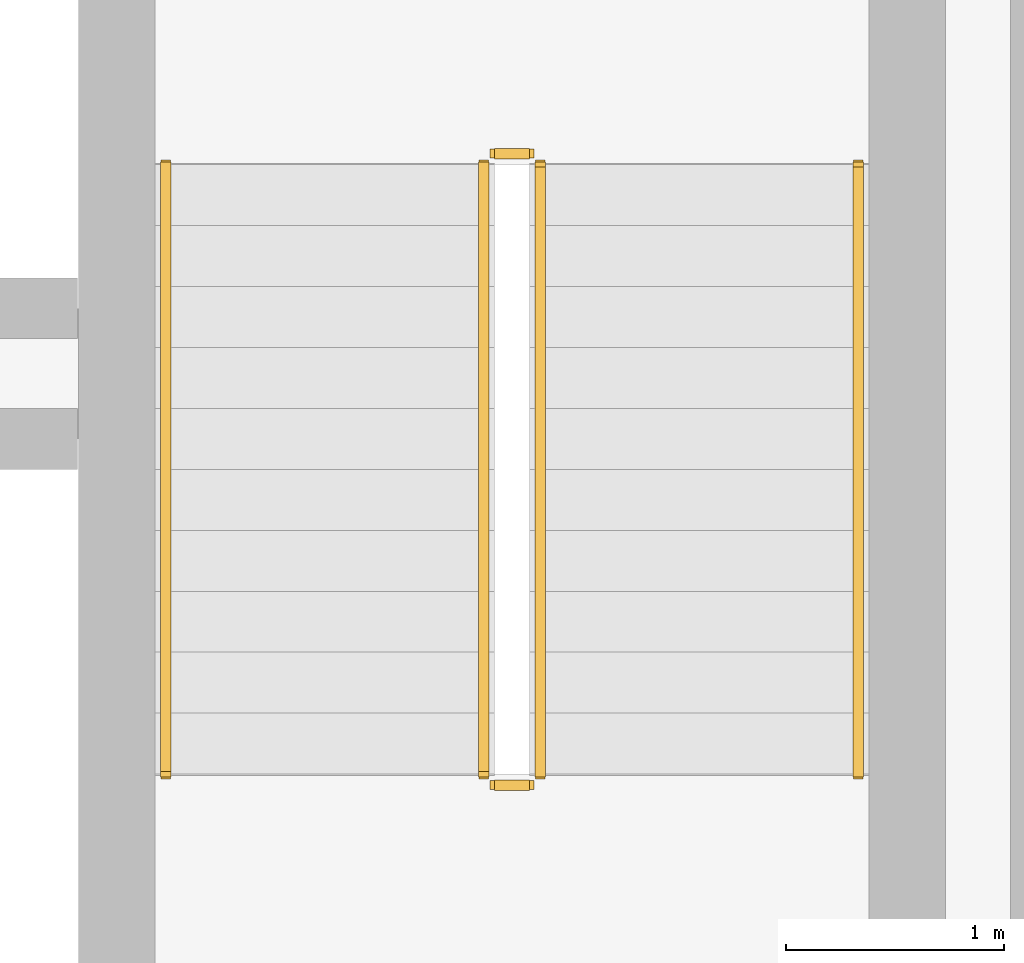
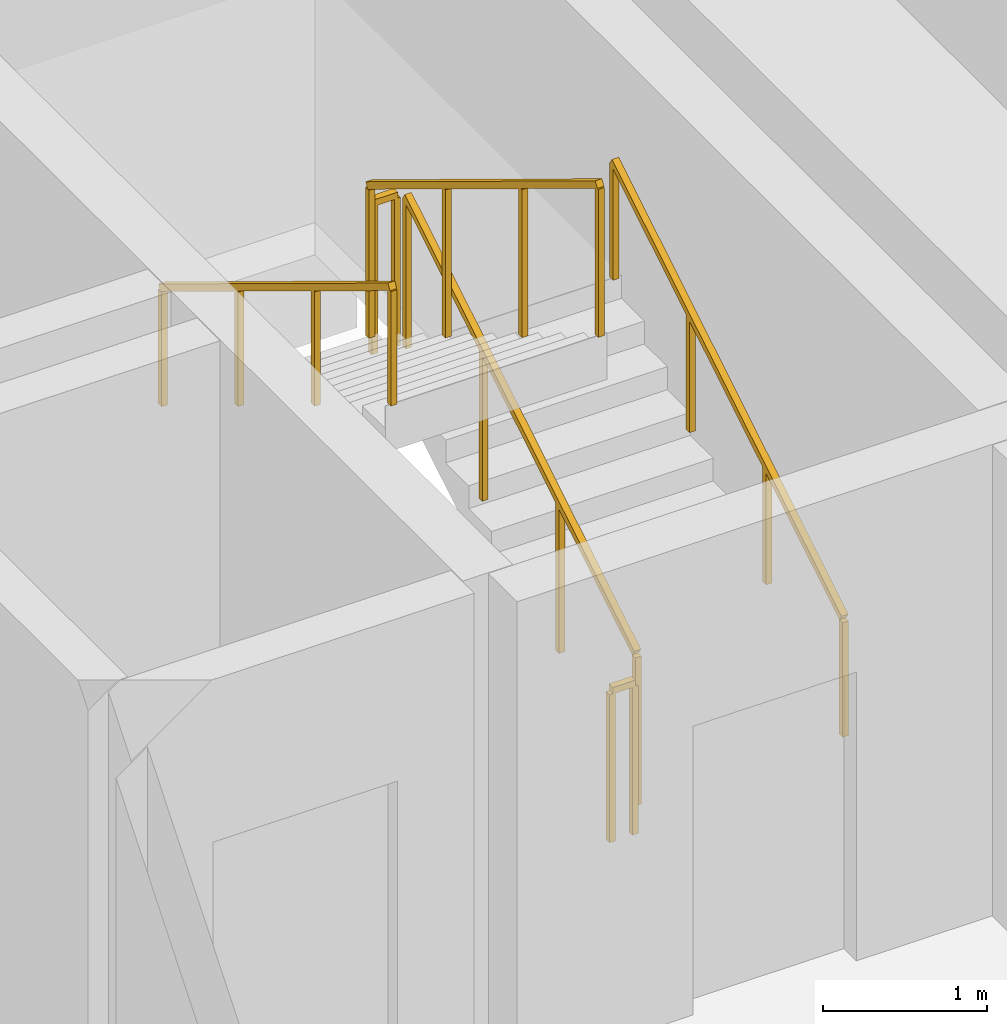
# One storey, part 15 of 15: 6 railings.
"""IFC4 building model written with IfcOpenShell, lengths in metres."""

from ifc_helpers import new_model, si_unit, direction, frame, origin, origin_2d, place, context, subcontext, project, spatial, rectangle, extrude, material, type_object, element, save


model = new_model("IFC4")

# Units and contexts
model_context = context("Model", 3, precision=1e-05, world=origin(), true_north=direction((0.0, 1.0)))
body_context = subcontext(model_context, "Body", "Model", "MODEL_VIEW")
ifc_project = project(units=[si_unit("LENGTHUNIT", "METRE"), si_unit("AREAUNIT", "SQUARE_METRE"), si_unit("VOLUMEUNIT", "CUBIC_METRE"), si_unit("PLANEANGLEUNIT", "RADIAN"), si_unit("MASSUNIT", "GRAM", prefix="KILO")], contexts=[model_context])

# Site, building, storey
site_placement = place(None, origin())
site = spatial("IfcSite", under=ifc_project, at=site_placement, CompositionType="ELEMENT")
building_placement = place(site_placement, origin())
building = spatial("IfcBuilding", under=site, at=building_placement, Name="Kaelvorn Grand Hotel", CompositionType="ELEMENT")
storey_placement = place(building_placement, frame((0.0, 0.0, 53.89990234375)))
storey = spatial("IfcBuildingStorey", under=building, at=storey_placement, Name="L11", CompositionType="ELEMENT", Elevation=53.89990234375)

# Railings
ifc_material = material(Name="Stainless Steel", Category="steel")
railing_type_1 = type_object("IfcRailingType", Name="RL-HANDRAIL-900", PredefinedType="HANDRAIL", material=ifc_material)
railing_1_placement = place(storey_placement, frame((66.550048828125, 41.760009765625, 0.170654296875)))
element("IfcRailing", 1, at=railing_1_placement, inside=storey, type_object=railing_type_1, Name="L11 ST3 stair handrail 1", PredefinedType="HANDRAIL", context=body_context, shape_type="SweptSolid", body=[
    extrude(rectangle(XDim=0.048095703125, YDim=0.048095703125, at=origin_2d()), frame((0.0, 0.0, 0.8759765625), z_axis=(0.0, 0.854202870247, 0.519939858505), x_axis=(-1.0, 0.0, 0.0)), (0.0, 0.0, 1.0), 3.278076171875),
    extrude(rectangle(XDim=0.0419921875, YDim=0.0419921875, at=origin_2d()), origin(), (0.0, 0.0, 1.0), 0.851806640625),
    extrude(rectangle(XDim=0.0419921875, YDim=0.0419921875, at=origin_2d()), frame((0.0, 0.933349609375, 0.568115234375)), (0.0, 0.0, 1.0), 0.851806640625),
    extrude(rectangle(XDim=0.0419921875, YDim=0.0419921875, at=origin_2d()), frame((0.0, 1.86669921875, 1.13623046875)), (0.0, 0.0, 1.0), 0.851806640625),
    extrude(rectangle(XDim=0.0419921875, YDim=0.0419921875, at=origin_2d()), frame((0.0, 2.800048828125, 1.704345703125)), (0.0, 0.0, 1.0), 0.851806640625),
])
railing_2_placement = place(storey_placement, frame((63.3701171875, 44.56005859375, 2.045654296875)))
element("IfcRailing", 2, at=railing_2_placement, inside=storey, type_object=railing_type_1, Name="L11 ST3 stair handrail 2", PredefinedType="HANDRAIL", context=body_context, shape_type="SweptSolid", body=[
    extrude(rectangle(XDim=0.048095703125, YDim=0.048095703125, at=origin_2d()), frame((0.0, 0.0, 0.8759765625), z_axis=(0.0, -0.854202870247, 0.519939858505), x_axis=(1.0, 0.0, 0.0)), (0.0, 0.0, 1.0), 3.278076171875),
    extrude(rectangle(XDim=0.0419921875, YDim=0.0419921875, at=origin_2d()), origin(), (0.0, 0.0, 1.0), 0.851806640625),
    extrude(rectangle(XDim=0.0419921875, YDim=0.0419921875, at=origin_2d()), frame((0.0, -0.933349609375, 0.568115234375)), (0.0, 0.0, 1.0), 0.851806640625),
    extrude(rectangle(XDim=0.0419921875, YDim=0.0419921875, at=origin_2d()), frame((0.0, -1.86669921875, 1.13623046875)), (0.0, 0.0, 1.0), 0.851806640625),
    extrude(rectangle(XDim=0.0419921875, YDim=0.0419921875, at=origin_2d()), frame((0.0, -2.800048828125, 1.704345703125)), (0.0, 0.0, 1.0), 0.851806640625),
])
railing_type_2 = type_object("IfcRailingType", Name="RL-STAIR-GUARD-1150", PredefinedType="BALUSTRADE", material=ifc_material)
railing_3_placement = place(storey_placement, frame((65.090087890625, 41.760009765625, 0.170654296875)))
element("IfcRailing", 3, at=railing_3_placement, inside=storey, type_object=railing_type_2, Name="L11 ST3 stair guard 1", PredefinedType="BALUSTRADE", context=body_context, shape_type="SweptSolid", body=[
    extrude(rectangle(XDim=0.048095703125, YDim=0.048095703125, at=origin_2d()), frame((0.0, 0.0, 1.1259765625), z_axis=(0.0, 0.854202870247, 0.519939858505), x_axis=(-1.0, 0.0, 0.0)), (0.0, 0.0, 1.0), 3.278076171875),
    extrude(rectangle(XDim=0.0419921875, YDim=0.0419921875, at=origin_2d()), origin(), (0.0, 0.0, 1.0), 1.101806640625),
    extrude(rectangle(XDim=0.0419921875, YDim=0.0419921875, at=origin_2d()), frame((0.0, 0.933349609375, 0.568115234375)), (0.0, 0.0, 1.0), 1.101806640625),
    extrude(rectangle(XDim=0.0419921875, YDim=0.0419921875, at=origin_2d()), frame((0.0, 1.86669921875, 1.13623046875)), (0.0, 0.0, 1.0), 1.101806640625),
    extrude(rectangle(XDim=0.0419921875, YDim=0.0419921875, at=origin_2d()), frame((0.0, 2.800048828125, 1.704345703125)), (0.0, 0.0, 1.0), 1.101806640625),
])
railing_4_placement = place(storey_placement, frame((65.0400390625, 44.610107421875, 1.875)))
element("IfcRailing", 4, at=railing_4_placement, inside=storey, type_object=railing_type_2, Name="L11 ST3 stair guard 2", PredefinedType="BALUSTRADE", context=body_context, shape_type="SweptSolid", body=[
    extrude(rectangle(XDim=0.048095703125, YDim=0.048095703125, at=origin_2d()), frame((0.0, 0.0, 1.1259765625), z_axis=(-1.0, 0.0, 0.0), x_axis=(0.0, -1.0, 0.0)), (0.0, 0.0, 1.0), 0.16015625),
    extrude(rectangle(XDim=0.0419921875, YDim=0.0419921875, at=origin_2d()), origin(), (0.0, 0.0, 1.0), 1.101806640625),
    extrude(rectangle(XDim=0.0419921875, YDim=0.0419921875, at=origin_2d()), frame((-0.16015625, 0.0, 0.0)), (0.0, 0.0, 1.0), 1.101806640625),
])
railing_5_placement = place(storey_placement, frame((64.830078125, 44.56005859375, 2.045654296875)))
element("IfcRailing", 5, at=railing_5_placement, inside=storey, type_object=railing_type_2, Name="L11 ST3 stair guard 3", PredefinedType="BALUSTRADE", context=body_context, shape_type="SweptSolid", body=[
    extrude(rectangle(XDim=0.048095703125, YDim=0.048095703125, at=origin_2d()), frame((0.0, 0.0, 1.1259765625), z_axis=(0.0, -0.854202870247, 0.519939858505), x_axis=(1.0, 0.0, 0.0)), (0.0, 0.0, 1.0), 3.278076171875),
    extrude(rectangle(XDim=0.0419921875, YDim=0.0419921875, at=origin_2d()), origin(), (0.0, 0.0, 1.0), 1.101806640625),
    extrude(rectangle(XDim=0.0419921875, YDim=0.0419921875, at=origin_2d()), frame((0.0, -0.933349609375, 0.568115234375)), (0.0, 0.0, 1.0), 1.101806640625),
    extrude(rectangle(XDim=0.0419921875, YDim=0.0419921875, at=origin_2d()), frame((0.0, -1.86669921875, 1.13623046875)), (0.0, 0.0, 1.0), 1.101806640625),
    extrude(rectangle(XDim=0.0419921875, YDim=0.0419921875, at=origin_2d()), frame((0.0, -2.800048828125, 1.704345703125)), (0.0, 0.0, 1.0), 1.101806640625),
])
railing_6_placement = place(storey_placement, frame((65.0400390625, 41.7099609375, 0.0)))
element("IfcRailing", 6, at=railing_6_placement, inside=storey, type_object=railing_type_2, Name="L11 ST3 stair guard 4", PredefinedType="BALUSTRADE", context=body_context, shape_type="SweptSolid", body=[
    extrude(rectangle(XDim=0.048095703125, YDim=0.048095703125, at=origin_2d()), frame((0.0, 0.0, 1.1259765625), z_axis=(-1.0, 0.0, 0.0), x_axis=(0.0, -1.0, 0.0)), (0.0, 0.0, 1.0), 0.16015625),
    extrude(rectangle(XDim=0.0419921875, YDim=0.0419921875, at=origin_2d()), origin(), (0.0, 0.0, 1.0), 1.101806640625),
    extrude(rectangle(XDim=0.0419921875, YDim=0.0419921875, at=origin_2d()), frame((-0.16015625, 0.0, 0.0)), (0.0, 0.0, 1.0), 1.101806640625),
])

save(model, "model.ifc")
